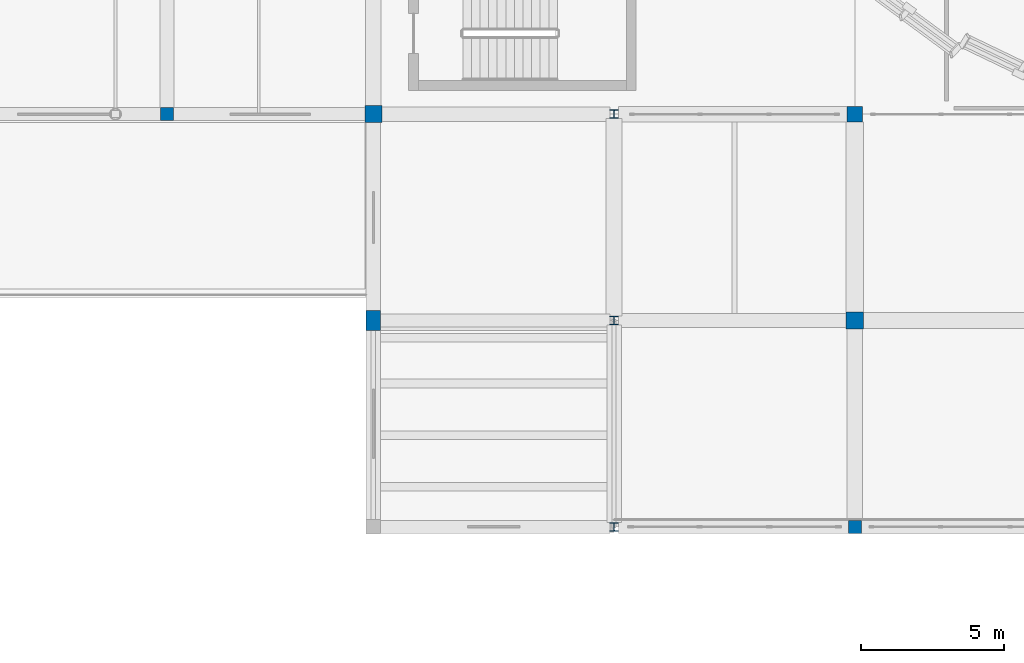
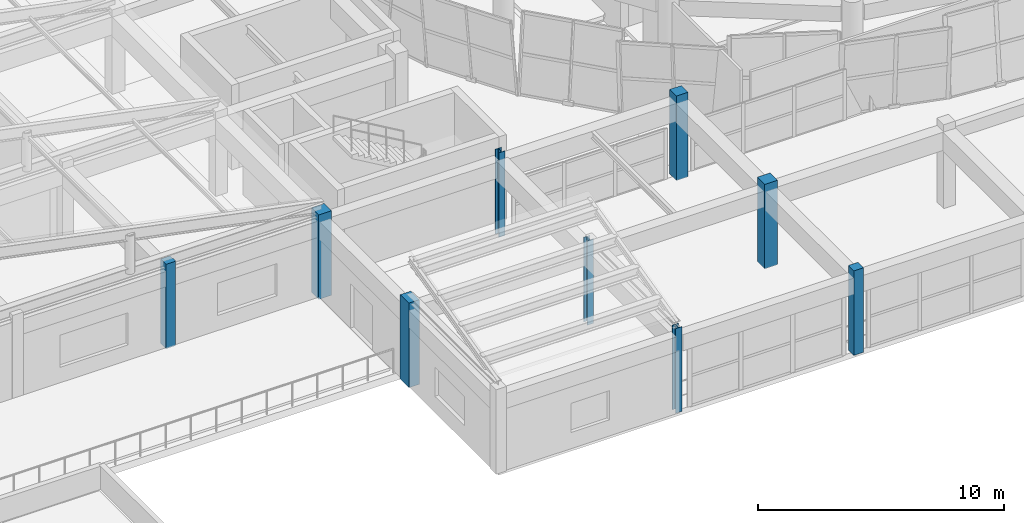
# One storey, part 2 of 74: 9 columns.
"""IFC4 building model written with IfcOpenShell, lengths in metres."""

from ifc_helpers import new_model, si_unit, direction, frame, origin, origin_2d, place, context, subcontext, project, spatial, rectangle, i_section, extrude, material, material_profile, profile_set, type_object, element, save


model = new_model("IFC4")

# Units and contexts
model_context = context("Model", 3, precision=1e-05, world=origin(), true_north=direction((0.0, 1.0)))
body_context = subcontext(model_context, "Body", "Model", "MODEL_VIEW")
ifc_project = project(units=[si_unit("LENGTHUNIT", "METRE"), si_unit("AREAUNIT", "SQUARE_METRE"), si_unit("VOLUMEUNIT", "CUBIC_METRE"), si_unit("PLANEANGLEUNIT", "RADIAN"), si_unit("MASSUNIT", "GRAM", prefix="KILO")], contexts=[model_context])

# Site, building, storey
site_placement = place(None, origin())
site = spatial("IfcSite", under=ifc_project, at=site_placement, CompositionType="ELEMENT")
building_placement = place(site_placement, origin())
building = spatial("IfcBuilding", under=site, at=building_placement, Name="Korsvaeld Concert Hall", CompositionType="ELEMENT")
storey_placement = place(building_placement, frame((0.0, 0.0, 9.0)))
storey = spatial("IfcBuildingStorey", under=building, at=storey_placement, Name="L02", CompositionType="ELEMENT", Elevation=9.0)

# Columns
ifc_material_1 = material(Name="Concrete C40/50", Category="concrete")
ifc_material_profile_1 = material_profile(ifc_material_1, rectangle(XDim=0.449951171875, YDim=0.449951171875, at=origin_2d()), Name="RC 450x450")
ifc_profile_set_1 = profile_set([ifc_material_profile_1], Name="Concrete C40/50")
column_type_1 = type_object("IfcColumnType", Name="COL-RC-450x450", PredefinedType="COLUMN", material=ifc_profile_set_1)
for number, where, z_axis, x_axis, name in (
    (1, (67.199951171875, 28.800048828125, 0.0), (0.0, 0.0, 1.0), (1.0, 0.0, 0.0), "Column 10/E L02"),
    (2, (43.199951171875, 43.199951171875, 0.0), (0.0, 0.0, 1.0), (1.0, 0.0, 0.0), "Column 7/G L02"),
):
    element("IfcColumn", number, at=place(storey_placement, frame(where, z_axis=z_axis, x_axis=x_axis)), inside=storey, type_object=column_type_1, Name=name, PredefinedType="COLUMN", context=body_context, shape_type="SweptSolid", body=[
        extrude(rectangle(XDim=0.449951171875, YDim=0.449951171875, at=origin_2d()), origin(), (0.0, 0.0, 1.0), 4.199951171875),
    ])
ifc_material_profile_2 = material_profile(ifc_material_1, rectangle(XDim=0.5, YDim=0.699951171875, at=origin_2d()), Name="RC 500x700")
ifc_profile_set_2 = profile_set([ifc_material_profile_2], Name="Concrete C40/50")
column_type_2 = type_object("IfcColumnType", Name="COL-RC-500x700", PredefinedType="COLUMN", material=ifc_profile_set_2)
column_1_placement = place(storey_placement, frame((50.39990234375, 36.0, 0.0), z_axis=(0.0, 0.0, 1.0), x_axis=(1.0, 0.0, 0.0)))
element("IfcColumn", 3, at=column_1_placement, inside=storey, type_object=column_type_2, Name="Column 8/F L02", PredefinedType="COLUMN", context=body_context, shape_type="SweptSolid", body=[
    extrude(rectangle(XDim=0.5, YDim=0.699951171875, at=origin_2d()), origin(), (0.0, 0.0, 1.0), 4.199951171875),
])
ifc_material_profile_3 = material_profile(ifc_material_1, rectangle(XDim=0.550048828125, YDim=0.550048828125, at=origin_2d()), Name="RC 550x550")
ifc_profile_set_3 = profile_set([ifc_material_profile_3], Name="Concrete C40/50")
column_type_3 = type_object("IfcColumnType", Name="COL-RC-550x550", PredefinedType="COLUMN", material=ifc_profile_set_3)
column_2_placement = place(storey_placement, frame((67.199951171875, 43.199951171875, 0.0), z_axis=(0.0, 0.0, 1.0), x_axis=(1.0, 0.0, 0.0)))
element("IfcColumn", 4, at=column_2_placement, inside=storey, type_object=column_type_3, Name="Column 10/G L02", PredefinedType="COLUMN", context=body_context, shape_type="SweptSolid", body=[
    extrude(rectangle(XDim=0.550048828125, YDim=0.550048828125, at=origin_2d()), origin(), (0.0, 0.0, 1.0), 4.199951171875),
])
ifc_material_profile_4 = material_profile(ifc_material_1, rectangle(XDim=0.60009765625, YDim=0.60009765625, at=origin_2d()), Name="RC 600x600")
ifc_profile_set_4 = profile_set([ifc_material_profile_4], Name="Concrete C40/50")
column_type_4 = type_object("IfcColumnType", Name="COL-RC-600x600", PredefinedType="COLUMN", material=ifc_profile_set_4)
for number, where, z_axis, x_axis, name in (
    (5, (67.199951171875, 36.0, 0.0), (0.0, 0.0, 1.0), (1.0, 0.0, 0.0), "Column 10/F L02"),
    (6, (50.39990234375, 43.199951171875, 0.0), (0.0, 0.0, 1.0), (1.0, 0.0, 0.0), "Column 8/G L02"),
):
    element("IfcColumn", number, at=place(storey_placement, frame(where, z_axis=z_axis, x_axis=x_axis)), inside=storey, type_object=column_type_4, Name=name, PredefinedType="COLUMN", context=body_context, shape_type="SweptSolid", body=[
        extrude(rectangle(XDim=0.60009765625, YDim=0.60009765625, at=origin_2d()), origin(), (0.0, 0.0, 1.0), 4.199951171875),
    ])
ifc_material_2 = material(Name="Steel S355J2", Category="steel")
ifc_material_profile_5 = material_profile(ifc_material_2, i_section(OverallWidth=0.300048828125, OverallDepth=0.300048828125, WebThickness=0.010986328125, FlangeThickness=0.01904296875, FilletRadius=0.027099609375, at=origin_2d()), Name="HEB 300")
ifc_profile_set_5 = profile_set([ifc_material_profile_5], Name="Steel S355J2")
column_type_5 = type_object("IfcColumnType", Name="COL-STL-HEB300", PredefinedType="COLUMN", material=ifc_profile_set_5)
for number, where, z_axis, x_axis, name in (
    (7, (58.800048828125, 28.800048828125, 0.0), (0.0, 0.0, 1.0), (1.0, 0.0, 0.0), "Column 9/E L02"),
    (8, (58.800048828125, 36.0, 0.0), (0.0, 0.0, 1.0), (1.0, 0.0, 0.0), "Column 9/F L02"),
    (9, (58.800048828125, 43.199951171875, 0.0), (0.0, 0.0, 1.0), (1.0, 0.0, 0.0), "Column 9/G L02"),
):
    element("IfcColumn", number, at=place(storey_placement, frame(where, z_axis=z_axis, x_axis=x_axis)), inside=storey, type_object=column_type_5, Name=name, PredefinedType="COLUMN", context=body_context, shape_type="SweptSolid", body=[
        extrude(i_section(OverallWidth=0.300048828125, OverallDepth=0.300048828125, WebThickness=0.010986328125, FlangeThickness=0.01904296875, FilletRadius=0.027099609375, at=origin_2d()), origin(), (0.0, 0.0, 1.0), 4.199951171875),
    ])

save(model, "model.ifc")
